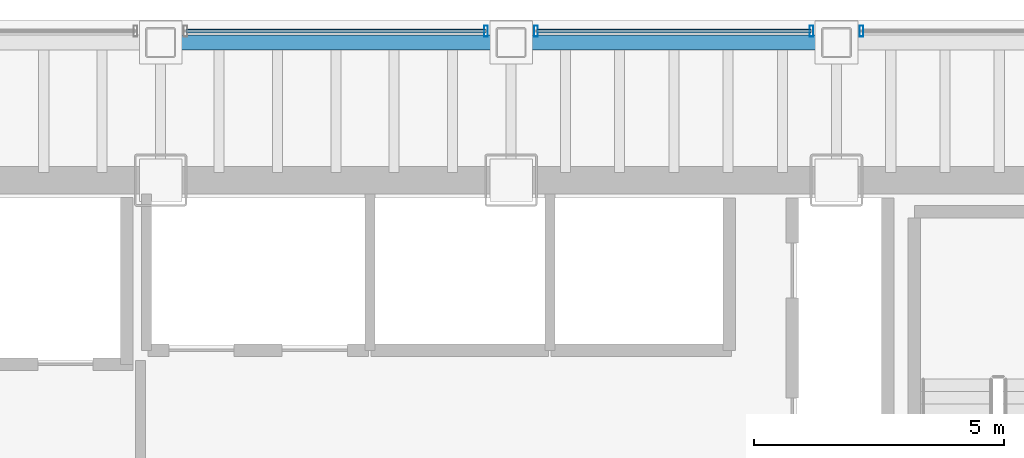
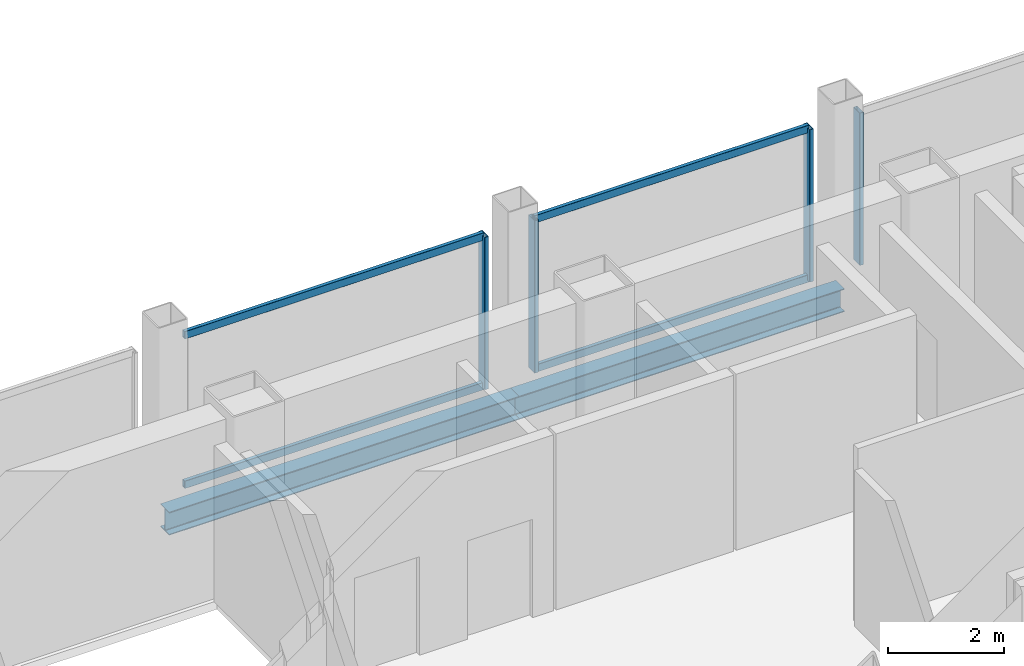
# One storey, part 15 of 22: 8 members, 2 beams, 3 elements without a shape of their own.
"""IFC4 building model written with IfcOpenShell, lengths in metres."""

import ifcopenshell
import ifcopenshell.guid

model = None  # the IFC model being written
_history = None  # IfcOwnerHistory: only IFC2X3 demands one
_inside = {}  # id of a spatial element -> (the spatial element, [elements in it])
_under = {}  # id of a project, library or spatial element -> (it, [spatial elements below it])
_declared = {}  # id of a project -> (the project, [libraries it declares])
_typed = {}  # id of a type object -> (the type object, [elements of that type])
_made_of = {}  # id of a material, layer set ... -> (it, [elements and type objects made of it])


def new_model(schema):
    """Start an empty IFC model of exactly this schema.

    Asked for "IFC4X3", IfcOpenShell would pick the latest addendum, in which some entities
    have other attributes; the version numbers below select the first issue.
    IFC2X3 requires an IfcOwnerHistory on every rooted entity: one is made here for all.
    """
    global model, _history
    if schema == "IFC4X3":
        model = ifcopenshell.file(schema_version=(4, 3, 0, 0))
    else:
        model = ifcopenshell.file(schema=schema)
    _inside.clear()
    _under.clear()
    _declared.clear()
    _typed.clear()
    _made_of.clear()
    _history = None
    if model.schema == "IFC2X3":
        org = make("IfcOrganization", Name="unknown")
        user = make(
            "IfcPersonAndOrganization",
            ThePerson=make("IfcPerson", FamilyName="unknown"),
            TheOrganization=org,
        )
        app = make(
            "IfcApplication",
            ApplicationDeveloper=org,
            Version="unknown",
            ApplicationFullName="unknown",
            ApplicationIdentifier="unknown",
        )
        _history = make(
            "IfcOwnerHistory",
            OwningUser=user,
            OwningApplication=app,
            ChangeAction="ADDED",
            CreationDate=0,
        )
    return model


def make(cls, **values):
    """One entity of the class cls with the attributes given. An attribute that is None is left unset."""
    return model.create_entity(
        cls, **{name: value for name, value in values.items() if value is not None}
    )


def rooted(cls, **values):
    """An entity with a GlobalId (a new one), such as an element, a storey or a relation."""
    return make(cls, GlobalId=ifcopenshell.guid.new(), OwnerHistory=_history, **values)


def si_unit(unit_type, name, prefix=None):
    """IfcSIUnit, for example si_unit("LENGTHUNIT", "METRE", prefix="MILLI")."""
    return make("IfcSIUnit", UnitType=unit_type, Prefix=prefix, Name=name)


def assignment(units):
    """IfcUnitAssignment: the units of a project."""
    return None if units is None else make("IfcUnitAssignment", Units=units)


def point(xyz):
    """IfcCartesianPoint."""
    return None if xyz is None else make("IfcCartesianPoint", Coordinates=xyz)


def direction(xyz):
    """IfcDirection."""
    return None if xyz is None else make("IfcDirection", DirectionRatios=xyz)


def frame(location, z_axis=None, x_axis=None):
    """IfcAxis2Placement3D, a coordinate frame: its origin and axes. An axis left out is left unset."""
    return make(
        "IfcAxis2Placement3D",
        Location=point(location),
        Axis=direction(z_axis),
        RefDirection=direction(x_axis),
    )


def frame_2d(location, x_axis=None):
    """IfcAxis2Placement2D, a coordinate frame in the plane: its origin and x axis."""
    return make(
        "IfcAxis2Placement2D", Location=point(location), RefDirection=direction(x_axis)
    )


def origin():
    """The frame at (0, 0, 0) with its axes left unset."""
    return frame((0.0, 0.0, 0.0))


def origin_2d():
    """The frame at (0, 0) in the plane with its x axis left unset."""
    return frame_2d((0.0, 0.0))


def place(relative_to, where):
    """IfcLocalPlacement: puts the frame where relative to a parent placement (None: the world)."""
    return make(
        "IfcLocalPlacement", PlacementRelTo=relative_to, RelativePlacement=where
    )


def context(
    kind, dimensions, precision=None, world=None, true_north=None, identifier=None
):
    """IfcGeometricRepresentationContext, for example the 3D "Model" context."""
    return make(
        "IfcGeometricRepresentationContext",
        ContextIdentifier=identifier,
        ContextType=kind,
        CoordinateSpaceDimension=dimensions,
        Precision=precision,
        WorldCoordinateSystem=world,
        TrueNorth=true_north,
    )


def subcontext(parent, identifier, kind, view, scale=None):
    """IfcGeometricRepresentationSubContext, for example "Body" below "Model"."""
    return make(
        "IfcGeometricRepresentationSubContext",
        ContextIdentifier=identifier,
        ContextType=kind,
        ParentContext=parent,
        TargetScale=scale,
        TargetView=view,
    )


def project(units=None, contexts=None):
    """IfcProject with its units and contexts."""
    return rooted(
        "IfcProject",
        Name="project",
        RepresentationContexts=contexts,
        UnitsInContext=assignment(units),
    )


def spatial(cls, under=None, at=None, **own):
    """A site, building, storey or space (cls), placed at a placement, below another one or the project."""
    s = rooted(cls, ObjectPlacement=at, **own)
    if under is not None:
        _under.setdefault(under.id(), (under, []))[1].append(s)
    return s


def profile(cls, at=None, kind="AREA", **sizes):
    """A parametric profile (cls). Its sizes go by their IFC names, for example OverallWidth=200.0."""
    return make(cls, ProfileType=kind, Position=at, **sizes)


def hollow_rectangle(**sizes):
    """IfcRectangleHollowProfileDef."""
    return profile("IfcRectangleHollowProfileDef", **sizes)


def i_section(**sizes):
    """IfcIShapeProfileDef."""
    return profile("IfcIShapeProfileDef", **sizes)


def extrude(swept, where, along, depth):
    """IfcExtrudedAreaSolid: the profile swept, set in the frame where, extruded along a direction by depth."""
    return make(
        "IfcExtrudedAreaSolid",
        SweptArea=swept,
        Position=where,
        ExtrudedDirection=direction(along),
        Depth=depth,
    )


def shape(context_of_items, identifier, shape_type, items):
    """IfcShapeRepresentation: the items that make up one representation, for example the "Body"."""
    return make(
        "IfcShapeRepresentation",
        ContextOfItems=context_of_items,
        RepresentationIdentifier=identifier,
        RepresentationType=shape_type,
        Items=items,
    )


def material(Name=None, Category=None):
    """IfcMaterial."""
    return make("IfcMaterial", Name=Name, Category=Category)


def material_profile(
    of_material, cross_section, Name=None, Category=None, Priority=None
):
    """IfcMaterialProfile: a cross section and its material."""
    return make(
        "IfcMaterialProfile",
        Name=Name,
        Material=of_material,
        Profile=cross_section,
        Priority=Priority,
        Category=Category,
    )


def profile_set(profiles, Name=None, composite=None):
    """IfcMaterialProfileSet."""
    return make(
        "IfcMaterialProfileSet",
        Name=Name,
        MaterialProfiles=profiles,
        CompositeProfile=composite,
    )


def made_of(thing, what):
    """Note that an element or type object is made of a material, layer set ...; save() writes the relation."""
    if what is not None:
        _made_of.setdefault(what.id(), (what, []))[1].append(thing)
    return thing


def type_object(cls, material=None, **own):
    """A type object (cls), such as IfcWallType, which elements share."""
    return made_of(rooted(cls, **own), material)


def element(
    cls,
    number,
    at=None,
    inside=None,
    cuts=None,
    type_object=None,
    material=None,
    context=None,
    identifier="Body",
    shape_type=None,
    held_by="IfcProductDefinitionShape",
    body=None,
    shapes=None,
    **own,
):
    """One element of the class cls, such as IfcWall. Its Tag is "e" and its number.

    at: its placement. inside: the storey or other place that contains it. cuts: it is an
    opening in that element (IfcRelVoidsElement). A single representation is given by context,
    identifier, shape_type and body (its items); several are given by shapes. held_by: the class
    of the entity that holds the representations. save() writes the other relations.
    """
    e = rooted(cls, Tag="e%d" % number, ObjectPlacement=at, **own)
    if body is not None:
        shapes = [shape(context, identifier, shape_type, body)]
    if shapes is not None:
        e.Representation = make(held_by, Representations=shapes)
    if inside is not None:
        _inside.setdefault(inside.id(), (inside, []))[1].append(e)
    if cuts is not None:
        rooted(
            "IfcRelVoidsElement", RelatingBuildingElement=cuts, RelatedOpeningElement=e
        )
    if type_object is not None:
        _typed.setdefault(type_object.id(), (type_object, []))[1].append(e)
    return made_of(e, material)


def aggregate(whole, parts):
    """IfcRelAggregates: a whole, such as a stair, and the parts it consists of."""
    return rooted("IfcRelAggregates", RelatingObject=whole, RelatedObjects=parts)


def save(model, path):
    """Write the relations noted so far, then the file.

    IfcRelAggregates (storeys below a building ...), IfcRelContainedInSpatialStructure (elements
    in a storey), IfcRelDefinesByType, IfcRelAssociatesMaterial and IfcRelDeclares: one each for
    every whole, place, type object, material and project.
    """
    for whole, parts in _under.values():
        aggregate(whole, parts)
    for where, things in _inside.values():
        rooted(
            "IfcRelContainedInSpatialStructure",
            RelatedElements=things,
            RelatingStructure=where,
        )
    for kind, things in _typed.values():
        rooted("IfcRelDefinesByType", RelatedObjects=things, RelatingType=kind)
    for what, things in _made_of.values():
        rooted("IfcRelAssociatesMaterial", RelatedObjects=things, RelatingMaterial=what)
    for by, libraries in _declared.values():
        rooted("IfcRelDeclares", RelatingContext=by, RelatedDefinitions=libraries)
    model.write(path)


model = new_model("IFC4")

# Units and contexts
model_context = context("Model", 3, precision=1e-05, world=origin(), true_north=direction((0.0, 1.0)))
body_context = subcontext(model_context, "Body", "Model", "MODEL_VIEW")
ifc_project = project(units=[si_unit("LENGTHUNIT", "METRE"), si_unit("AREAUNIT", "SQUARE_METRE"), si_unit("VOLUMEUNIT", "CUBIC_METRE"), si_unit("PLANEANGLEUNIT", "RADIAN"), si_unit("MASSUNIT", "GRAM", prefix="KILO")], contexts=[model_context])

# Site, building, storey
site_placement = place(None, origin())
site = spatial("IfcSite", under=ifc_project, at=site_placement, CompositionType="ELEMENT")
building_placement = place(site_placement, origin())
building = spatial("IfcBuilding", under=site, at=building_placement, Name="Noeulbin Bourse Tower", CompositionType="ELEMENT")
storey_placement = place(building_placement, frame((0.0, 0.0, 88.89990234375)))
storey = spatial("IfcBuildingStorey", under=building, at=storey_placement, Name="L22", CompositionType="ELEMENT", Elevation=88.89990234375)

# Beams
ifc_material_1 = material(Name="Steel S355", Category="steel")
ifc_material_profile_1 = material_profile(ifc_material_1, i_section(OverallWidth=0.300048828125, OverallDepth=0.488037109375, WebThickness=0.010986328125, FlangeThickness=0.01806640625, FilletRadius=0.02197265625, at=origin_2d()), Name="H-488x300x11x18", Category="LoadBearing")
ifc_profile_set_1 = profile_set([ifc_material_profile_1], Name="Steel S355")
beam_type = type_object("IfcBeamType", Name="BM-SPN-488", PredefinedType="SPANDREL", material=ifc_profile_set_1)
beam_1_placement = place(storey_placement, frame((24.0, 41.050048828125, -0.423828125), z_axis=(1.0, 0.0, 0.0), x_axis=(0.0, 1.0, 0.0)))
element("IfcBeam", 1, at=beam_1_placement, inside=storey, type_object=beam_type, Name="North Spandrel L22-2", PredefinedType="SPANDREL", context=body_context, shape_type="SweptSolid", body=[
    extrude(i_section(OverallWidth=0.300048828125, OverallDepth=0.488037109375, WebThickness=0.010986328125, FlangeThickness=0.01806640625, FilletRadius=0.02197265625, at=origin_2d()), origin(), (0.0, 0.0, 1.0), 7.0),
])
beam_2_placement = place(storey_placement, frame((31.0, 41.050048828125, -0.423828125), z_axis=(1.0, 0.0, 0.0), x_axis=(0.0, 1.0, 0.0)))
element("IfcBeam", 2, at=beam_2_placement, inside=storey, type_object=beam_type, Name="North Spandrel L22-3", PredefinedType="SPANDREL", context=body_context, shape_type="SweptSolid", body=[
    extrude(i_section(OverallWidth=0.300048828125, OverallDepth=0.488037109375, WebThickness=0.010986328125, FlangeThickness=0.01806640625, FilletRadius=0.02197265625, at=origin_2d()), origin(), (0.0, 0.0, 1.0), 6.5),
])

# Curtain wall, member
ifc_material_2 = material(Name="Dark Solar-Control Double Glazing", Category="glass")
curtain_wall_type = type_object("IfcCurtainWallType", Name="CW-SYS-2", PredefinedType="NOTDEFINED", material=ifc_material_2)
curtain_wall_1_placement = place(storey_placement, origin())
curtain_wall_1 = element("IfcCurtainWall", 3, at=curtain_wall_1_placement, inside=storey, type_object=curtain_wall_type, Name="Unitised Curtain Wall CW-L22-N-S3", PredefinedType="NOTDEFINED")
ifc_material_3 = material(Name="Anodised Aluminium 6063-T6", Category="aluminium")
ifc_material_profile_2 = material_profile(ifc_material_3, hollow_rectangle(XDim=0.074951171875, YDim=0.219970703125, WallThickness=0.0048828125, InnerFilletRadius=0.00244140625, OuterFilletRadius=0.0048828125, at=origin_2d()), Name="ALU-MULL-75x220x5", Category="LoadBearing")
ifc_profile_set_2 = profile_set([ifc_material_profile_2], Name="Anodised Aluminium 6063-T6")
member_type_1 = type_object("IfcMemberType", Name="CW-SYS-2-MUL", PredefinedType="MULLION", material=ifc_profile_set_2)
member_1_placement = place(storey_placement, frame((30.5, 41.280029296875, -0.02001953125), z_axis=(0.0, 0.0, 1.0), x_axis=(1.0, 0.0, 0.0)))
member_1 = element("IfcMember", 4, at=member_1_placement, type_object=member_type_1, Name="Curtain Wall Mullion CW-L22-N-S3-M01", PredefinedType="MULLION", context=body_context, shape_type="SweptSolid", body=[
    extrude(hollow_rectangle(XDim=0.074951171875, YDim=0.219970703125, WallThickness=0.0048828125, InnerFilletRadius=0.00244140625, OuterFilletRadius=0.0048828125, at=origin_2d()), origin(), (0.0, 0.0, 1.0), 3.22021484375),
])

# Curtain wall, members
curtain_wall_2_placement = place(storey_placement, origin())
curtain_wall_2 = element("IfcCurtainWall", 5, at=curtain_wall_2_placement, inside=storey, type_object=curtain_wall_type, Name="Unitised Curtain Wall CW-L22-N-S4", PredefinedType="NOTDEFINED")
member_2_placement = place(storey_placement, frame((31.5, 41.280029296875, -0.02001953125), z_axis=(0.0, 0.0, 1.0), x_axis=(1.0, 0.0, 0.0)))
member_2 = element("IfcMember", 6, at=member_2_placement, type_object=member_type_1, Name="Curtain Wall Mullion CW-L22-N-S4-M00", PredefinedType="MULLION", context=body_context, shape_type="SweptSolid", body=[
    extrude(hollow_rectangle(XDim=0.074951171875, YDim=0.219970703125, WallThickness=0.0048828125, InnerFilletRadius=0.00244140625, OuterFilletRadius=0.0048828125, at=origin_2d()), origin(), (0.0, 0.0, 1.0), 3.22021484375),
])
member_3_placement = place(storey_placement, frame((37.0, 41.280029296875, -0.02001953125), z_axis=(0.0, 0.0, 1.0), x_axis=(1.0, 0.0, 0.0)))
member_3 = element("IfcMember", 7, at=member_3_placement, type_object=member_type_1, Name="Curtain Wall Mullion CW-L22-N-S4-M01", PredefinedType="MULLION", context=body_context, shape_type="SweptSolid", body=[
    extrude(hollow_rectangle(XDim=0.074951171875, YDim=0.219970703125, WallThickness=0.0048828125, InnerFilletRadius=0.00244140625, OuterFilletRadius=0.0048828125, at=origin_2d()), origin(), (0.0, 0.0, 1.0), 3.22021484375),
])

# Curtain wall, member
curtain_wall_3_placement = place(storey_placement, origin())
curtain_wall_3 = element("IfcCurtainWall", 8, at=curtain_wall_3_placement, inside=storey, type_object=curtain_wall_type, Name="Unitised Curtain Wall CW-L22-N-S5", PredefinedType="NOTDEFINED")
member_4_placement = place(storey_placement, frame((38.0, 41.280029296875, -0.02001953125), z_axis=(0.0, 0.0, 1.0), x_axis=(1.0, 0.0, 0.0)))
member_4 = element("IfcMember", 9, at=member_4_placement, type_object=member_type_1, Name="Curtain Wall Mullion CW-L22-N-S5-M00", PredefinedType="MULLION", context=body_context, shape_type="SweptSolid", body=[
    extrude(hollow_rectangle(XDim=0.074951171875, YDim=0.219970703125, WallThickness=0.0048828125, InnerFilletRadius=0.00244140625, OuterFilletRadius=0.0048828125, at=origin_2d()), origin(), (0.0, 0.0, 1.0), 3.22021484375),
])
aggregate(curtain_wall_3, [member_4])

# Member
ifc_material_profile_3 = material_profile(ifc_material_3, hollow_rectangle(XDim=0.074951171875, YDim=0.159912109375, WallThickness=0.0048828125, InnerFilletRadius=0.00244140625, OuterFilletRadius=0.0048828125, at=origin_2d()), Name="ALU-TRAN-75x160x5", Category="LoadBearing")
ifc_profile_set_3 = profile_set([ifc_material_profile_3], Name="Anodised Aluminium 6063-T6")
member_type_2 = type_object("IfcMemberType", Name="CW-SYS-2-TRN", PredefinedType="USERDEFINED", material=ifc_profile_set_3)
member_5_placement = place(storey_placement, frame((24.510009765625, 41.280029296875, 0.010009765625), z_axis=(1.0, 0.0, 0.0), x_axis=(0.0, 1.0, 0.0)))
member_5 = element("IfcMember", 10, at=member_5_placement, type_object=member_type_2, Name="Curtain Wall Transom CW-L22-N-S3-T00", ObjectType="TRANSOM", PredefinedType="USERDEFINED", context=body_context, shape_type="SweptSolid", body=[
    extrude(hollow_rectangle(XDim=0.074951171875, YDim=0.159912109375, WallThickness=0.0048828125, InnerFilletRadius=0.00244140625, OuterFilletRadius=0.0048828125, at=origin_2d()), origin(), (0.0, 0.0, 1.0), 5.97998046875),
])

member_6_placement = place(storey_placement, frame((24.510009765625, 41.280029296875, 3.170166015625), z_axis=(1.0, 0.0, 0.0), x_axis=(0.0, 1.0, 0.0)))
member_6 = element("IfcMember", 11, at=member_6_placement, type_object=member_type_2, Name="Curtain Wall Transom CW-L22-N-S3-T01", ObjectType="TRANSOM", PredefinedType="USERDEFINED", context=body_context, shape_type="SweptSolid", body=[
    extrude(hollow_rectangle(XDim=0.074951171875, YDim=0.159912109375, WallThickness=0.0048828125, InnerFilletRadius=0.00244140625, OuterFilletRadius=0.0048828125, at=origin_2d()), origin(), (0.0, 0.0, 1.0), 5.97998046875),
])

aggregate(curtain_wall_1, [member_1, member_5, member_6])

member_7_placement = place(storey_placement, frame((31.510009765625, 41.280029296875, 0.010009765625), z_axis=(1.0, 0.0, 0.0), x_axis=(0.0, 1.0, 0.0)))
member_7 = element("IfcMember", 12, at=member_7_placement, type_object=member_type_2, Name="Curtain Wall Transom CW-L22-N-S4-T00", ObjectType="TRANSOM", PredefinedType="USERDEFINED", context=body_context, shape_type="SweptSolid", body=[
    extrude(hollow_rectangle(XDim=0.074951171875, YDim=0.159912109375, WallThickness=0.0048828125, InnerFilletRadius=0.00244140625, OuterFilletRadius=0.0048828125, at=origin_2d()), origin(), (0.0, 0.0, 1.0), 5.47998046875),
])

member_8_placement = place(storey_placement, frame((31.510009765625, 41.280029296875, 3.170166015625), z_axis=(1.0, 0.0, 0.0), x_axis=(0.0, 1.0, 0.0)))
member_8 = element("IfcMember", 13, at=member_8_placement, type_object=member_type_2, Name="Curtain Wall Transom CW-L22-N-S4-T01", ObjectType="TRANSOM", PredefinedType="USERDEFINED", context=body_context, shape_type="SweptSolid", body=[
    extrude(hollow_rectangle(XDim=0.074951171875, YDim=0.159912109375, WallThickness=0.0048828125, InnerFilletRadius=0.00244140625, OuterFilletRadius=0.0048828125, at=origin_2d()), origin(), (0.0, 0.0, 1.0), 5.47998046875),
])

aggregate(curtain_wall_2, [member_2, member_3, member_7, member_8])

save(model, "model.ifc")
